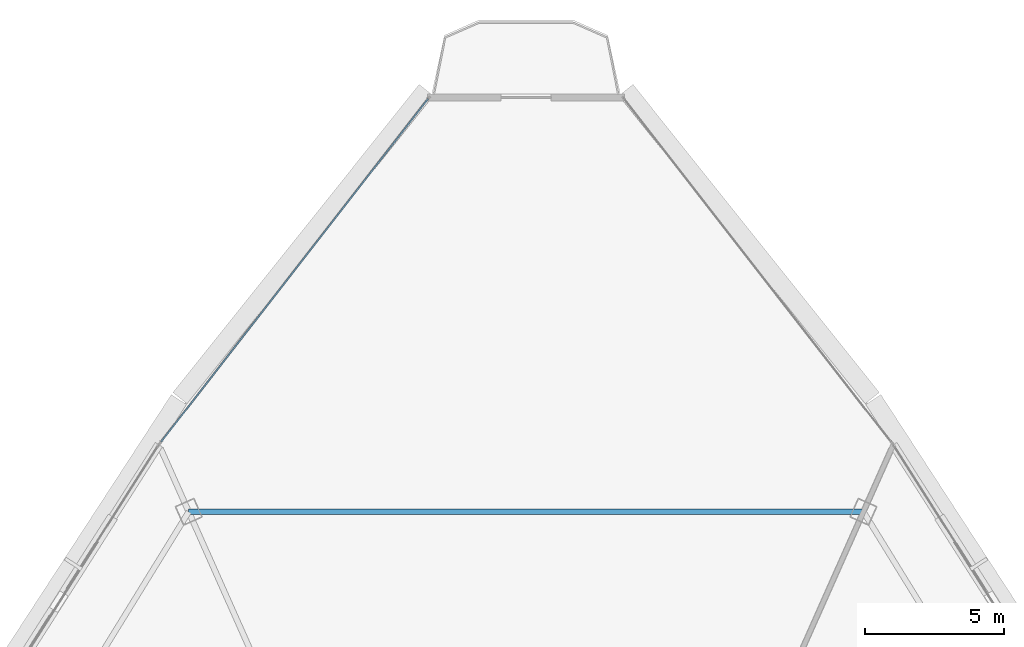
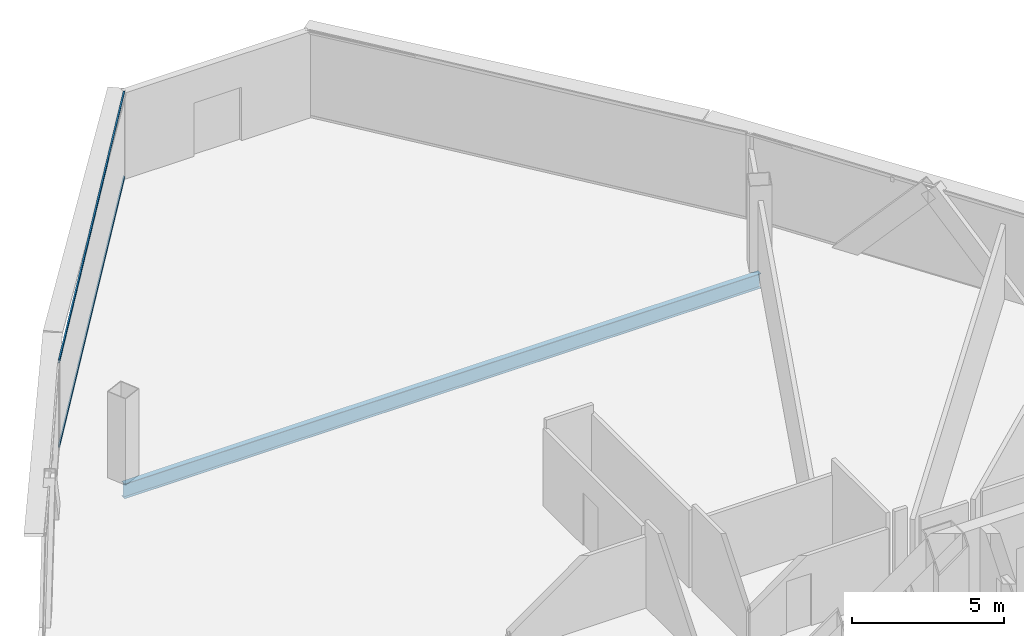
# One storey, part 23 of 40: 2 members, 1 beam, 1 element without a shape of its own.
"""IFC4 building model written with IfcOpenShell, lengths in metres."""

from ifc_helpers import new_model, si_unit, direction, frame, origin, origin_2d, place, context, subcontext, project, spatial, hollow_rectangle, i_section, extrude, source, transform, mapped, material, layer, layer_set, material_profile, profile_set, type_object, element, aggregate, save


model = new_model("IFC4")

# Units and contexts
model_context = context("Model", 3, precision=1e-05, world=origin(), true_north=direction((0.0, 1.0)))
body_context = subcontext(model_context, "Body", "Model", "MODEL_VIEW")
ifc_project = project(units=[si_unit("LENGTHUNIT", "METRE"), si_unit("AREAUNIT", "SQUARE_METRE"), si_unit("VOLUMEUNIT", "CUBIC_METRE"), si_unit("PLANEANGLEUNIT", "RADIAN"), si_unit("MASSUNIT", "GRAM", prefix="KILO"), si_unit("THERMODYNAMICTEMPERATUREUNIT", "KELVIN"), si_unit("POWERUNIT", "WATT")], contexts=[model_context])

# Site, building, storey
site_placement = place(None, origin())
site = spatial("IfcSite", under=ifc_project, at=site_placement, CompositionType="ELEMENT")
building_placement = place(site_placement, origin())
building = spatial("IfcBuilding", under=site, at=building_placement, Name="Yunzhuo Pagoda Commons", CompositionType="ELEMENT")
storey_placement = place(building_placement, frame((0.0, 0.0, 292.47998046875)))
storey = spatial("IfcBuildingStorey", under=building, at=storey_placement, Name="L73", CompositionType="ELEMENT", Elevation=292.47998046875)

# Beam
ifc_material_1 = material(Name="Structural steel Q355B", Category="steel")
ifc_material_profile_1 = material_profile(ifc_material_1, i_section(OverallWidth=0.199951171875, OverallDepth=0.60009765625, WebThickness=0.010986328125, FlangeThickness=0.01708984375, at=origin_2d()), Name="Structural steel Q355B")
ifc_profile_set_1 = profile_set([ifc_material_profile_1], Name="Structural steel Q355B")
beam_type = type_object("IfcBeamType", Name="B-RG3 Beam HN 600x200x11x17", PredefinedType="BEAM", material=ifc_profile_set_1)
shared_shape_1 = source(origin(), body_context, "Body", "SweptSolid", [
    extrude(i_section(OverallWidth=0.199951171875, OverallDepth=0.60009765625, WebThickness=0.010986328125, FlangeThickness=0.01708984375, at=origin_2d()), origin(), (0.0, 0.0, 1.0), 24.228515625),
])
beam_placement = place(storey_placement, frame((60.1142578125, 60.9091796875, -0.56005859375), z_axis=(-1.0, 0.0, 0.0), x_axis=(0.0, -1.0, 0.0)))
element("IfcBeam", 1, at=beam_placement, inside=storey, type_object=beam_type, Name="L73 column-ring beam 8", PredefinedType="BEAM", context=body_context, shape_type="MappedRepresentation", body=[
    mapped(shared_shape_1, transform((0.0, 0.0, 0.0), scale=1.0)),
])

# Curtain wall, members
ifc_material_2 = material(Name="Anodized aluminium 6063-T6", Category="aluminium")
ifc_layer = layer(ifc_material_2, 0.139892578125)
ifc_layer_set = layer_set([ifc_layer], Name="Anodized aluminium 6063-T6")
curtain_wall_type = type_object("IfcCurtainWallType", Name="CW-HI High-Zone Ribbon Curtain Wall", PredefinedType="NOTDEFINED", material=ifc_layer_set)
curtain_wall_placement = place(storey_placement, origin())
curtain_wall = element("IfcCurtainWall", 2, at=curtain_wall_placement, inside=storey, type_object=curtain_wall_type, Name="L73 curtain wall CW-L73-F3B1", PredefinedType="NOTDEFINED")
ifc_material_profile_2 = material_profile(ifc_material_2, hollow_rectangle(XDim=0.054931640625, YDim=0.1201171875, WallThickness=0.00341796875, at=origin_2d()), Name="Anodized aluminium 6063-T6")
ifc_profile_set_2 = profile_set([ifc_material_profile_2], Name="Anodized aluminium 6063-T6")
member_type = type_object("IfcMemberType", Name="CW-HI-T Transom RHS 120x55x3.5", PredefinedType="USERDEFINED", material=ifc_profile_set_2)
shared_shape_2 = source(origin(), body_context, "Body", "SweptSolid", [
    extrude(hollow_rectangle(XDim=0.054931640625, YDim=0.1201171875, WallThickness=0.00341796875, at=origin_2d()), origin(), (0.0, 0.0, 1.0), 15.608642578125),
])
member_1_placement = place(storey_placement, frame((44.483154296875, 75.742919921875, 0.027587890625), z_axis=(-0.614253513631, -0.789108751055, 0.0), x_axis=(0.789108751055, -0.614253513631, 0.0)))
member_1 = element("IfcMember", 3, at=member_1_placement, type_object=member_type, Name="CW transom 1.1", ObjectType="TRANSOM", PredefinedType="USERDEFINED", context=body_context, shape_type="MappedRepresentation", body=[
    mapped(shared_shape_2, transform((0.0, 0.0, 0.0), scale=1.0)),
])
member_2_placement = place(storey_placement, frame((44.483154296875, 75.742919921875, 3.442626953125), z_axis=(-0.614253513631, -0.789108751055, 0.0), x_axis=(0.789108751055, -0.614253513631, 0.0)))
member_2 = element("IfcMember", 4, at=member_2_placement, type_object=member_type, Name="CW transom 1.2", ObjectType="TRANSOM", PredefinedType="USERDEFINED", context=body_context, shape_type="MappedRepresentation", body=[
    mapped(shared_shape_2, transform((0.0, 0.0, 0.0), scale=1.0)),
])
aggregate(curtain_wall, [member_1, member_2])

save(model, "model.ifc")
